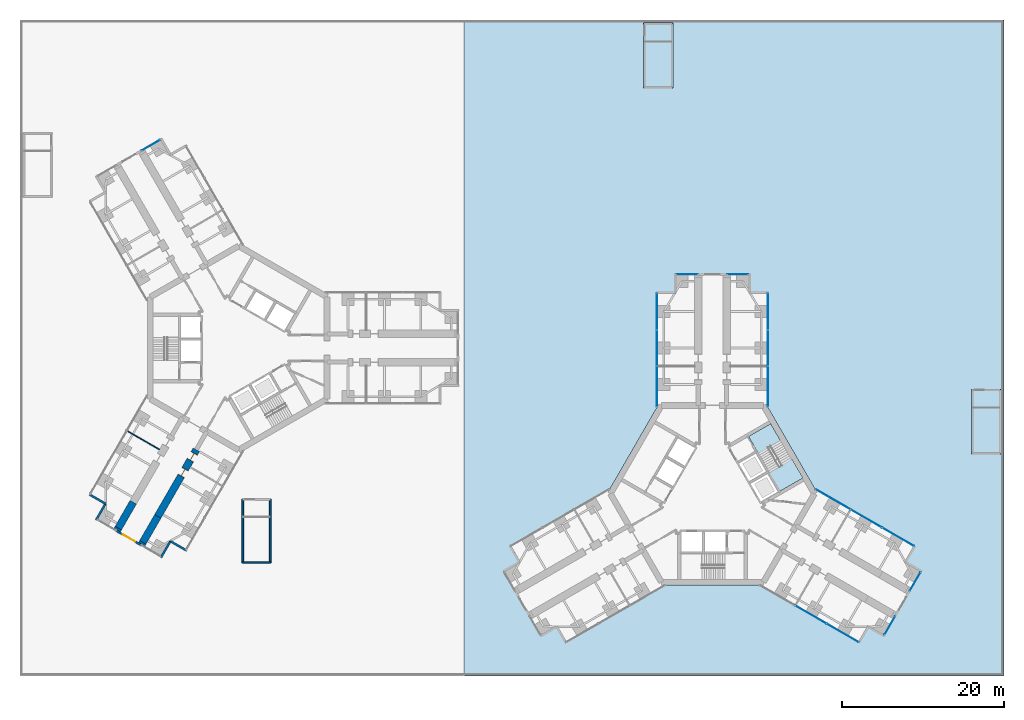
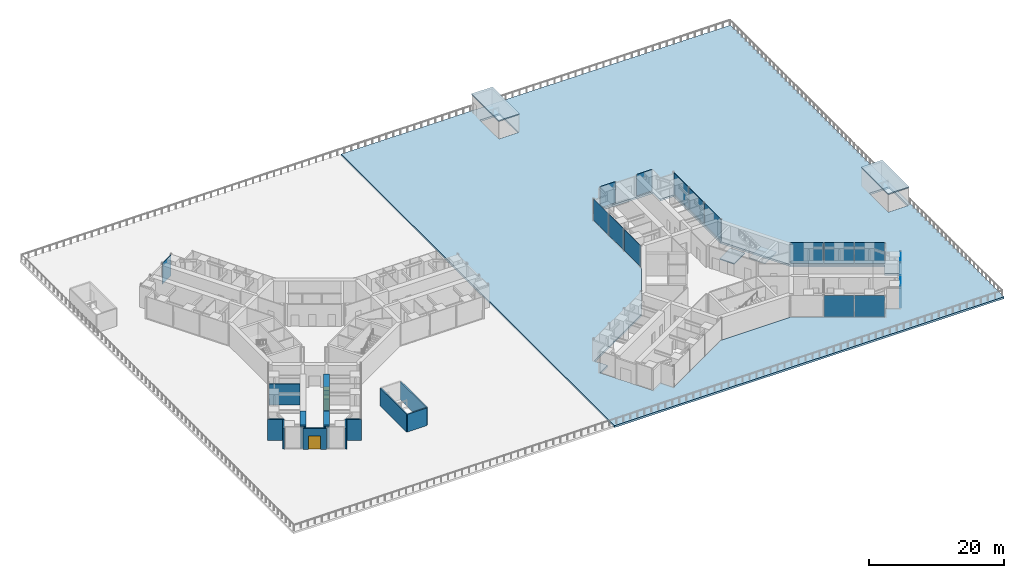
# One storey, part 12 of 23: 16 plates, 14 walls, 5 slabs, 3 doors, 3 openings, 10 elements without a shape of their own.
"""IFC4 building model written with IfcOpenShell, lengths in metres."""

import ifcopenshell
import ifcopenshell.guid

model = None  # the IFC model being written
_history = None  # IfcOwnerHistory: only IFC2X3 demands one
_inside = {}  # id of a spatial element -> (the spatial element, [elements in it])
_under = {}  # id of a project, library or spatial element -> (it, [spatial elements below it])
_declared = {}  # id of a project -> (the project, [libraries it declares])
_typed = {}  # id of a type object -> (the type object, [elements of that type])
_made_of = {}  # id of a material, layer set ... -> (it, [elements and type objects made of it])


def new_model(schema):
    """Start an empty IFC model of exactly this schema.

    Asked for "IFC4X3", IfcOpenShell would pick the latest addendum, in which some entities
    have other attributes; the version numbers below select the first issue.
    IFC2X3 requires an IfcOwnerHistory on every rooted entity: one is made here for all.
    """
    global model, _history
    if schema == "IFC4X3":
        model = ifcopenshell.file(schema_version=(4, 3, 0, 0))
    else:
        model = ifcopenshell.file(schema=schema)
    _inside.clear()
    _under.clear()
    _declared.clear()
    _typed.clear()
    _made_of.clear()
    _history = None
    if model.schema == "IFC2X3":
        org = make("IfcOrganization", Name="unknown")
        user = make(
            "IfcPersonAndOrganization",
            ThePerson=make("IfcPerson", FamilyName="unknown"),
            TheOrganization=org,
        )
        app = make(
            "IfcApplication",
            ApplicationDeveloper=org,
            Version="unknown",
            ApplicationFullName="unknown",
            ApplicationIdentifier="unknown",
        )
        _history = make(
            "IfcOwnerHistory",
            OwningUser=user,
            OwningApplication=app,
            ChangeAction="ADDED",
            CreationDate=0,
        )
    return model


def make(cls, **values):
    """One entity of the class cls with the attributes given. An attribute that is None is left unset."""
    return model.create_entity(
        cls, **{name: value for name, value in values.items() if value is not None}
    )


def rooted(cls, **values):
    """An entity with a GlobalId (a new one), such as an element, a storey or a relation."""
    return make(cls, GlobalId=ifcopenshell.guid.new(), OwnerHistory=_history, **values)


def si_unit(unit_type, name, prefix=None):
    """IfcSIUnit, for example si_unit("LENGTHUNIT", "METRE", prefix="MILLI")."""
    return make("IfcSIUnit", UnitType=unit_type, Prefix=prefix, Name=name)


def assignment(units):
    """IfcUnitAssignment: the units of a project."""
    return None if units is None else make("IfcUnitAssignment", Units=units)


def point(xyz):
    """IfcCartesianPoint."""
    return None if xyz is None else make("IfcCartesianPoint", Coordinates=xyz)


def direction(xyz):
    """IfcDirection."""
    return None if xyz is None else make("IfcDirection", DirectionRatios=xyz)


def frame(location, z_axis=None, x_axis=None):
    """IfcAxis2Placement3D, a coordinate frame: its origin and axes. An axis left out is left unset."""
    return make(
        "IfcAxis2Placement3D",
        Location=point(location),
        Axis=direction(z_axis),
        RefDirection=direction(x_axis),
    )


def frame_2d(location, x_axis=None):
    """IfcAxis2Placement2D, a coordinate frame in the plane: its origin and x axis."""
    return make(
        "IfcAxis2Placement2D", Location=point(location), RefDirection=direction(x_axis)
    )


def origin():
    """The frame at (0, 0, 0) with its axes left unset."""
    return frame((0.0, 0.0, 0.0))


def origin_2d():
    """The frame at (0, 0) in the plane with its x axis left unset."""
    return frame_2d((0.0, 0.0))


def place(relative_to, where):
    """IfcLocalPlacement: puts the frame where relative to a parent placement (None: the world)."""
    return make(
        "IfcLocalPlacement", PlacementRelTo=relative_to, RelativePlacement=where
    )


def context(
    kind, dimensions, precision=None, world=None, true_north=None, identifier=None
):
    """IfcGeometricRepresentationContext, for example the 3D "Model" context."""
    return make(
        "IfcGeometricRepresentationContext",
        ContextIdentifier=identifier,
        ContextType=kind,
        CoordinateSpaceDimension=dimensions,
        Precision=precision,
        WorldCoordinateSystem=world,
        TrueNorth=true_north,
    )


def subcontext(parent, identifier, kind, view, scale=None):
    """IfcGeometricRepresentationSubContext, for example "Body" below "Model"."""
    return make(
        "IfcGeometricRepresentationSubContext",
        ContextIdentifier=identifier,
        ContextType=kind,
        ParentContext=parent,
        TargetScale=scale,
        TargetView=view,
    )


def project(units=None, contexts=None):
    """IfcProject with its units and contexts."""
    return rooted(
        "IfcProject",
        Name="project",
        RepresentationContexts=contexts,
        UnitsInContext=assignment(units),
    )


def spatial(cls, under=None, at=None, **own):
    """A site, building, storey or space (cls), placed at a placement, below another one or the project."""
    s = rooted(cls, ObjectPlacement=at, **own)
    if under is not None:
        _under.setdefault(under.id(), (under, []))[1].append(s)
    return s


def polyline(points):
    """IfcPolyline through the points."""
    return make("IfcPolyline", Points=[point(p) for p in points])


def profile(cls, at=None, kind="AREA", **sizes):
    """A parametric profile (cls). Its sizes go by their IFC names, for example OverallWidth=200.0."""
    return make(cls, ProfileType=kind, Position=at, **sizes)


def rectangle(**sizes):
    """IfcRectangleProfileDef."""
    return profile("IfcRectangleProfileDef", **sizes)


def outline(outer, holes=None, kind="AREA"):
    """IfcArbitraryClosedProfileDef: a profile drawn as a closed curve; with holes, ...WithVoids."""
    if holes is None:
        return make("IfcArbitraryClosedProfileDef", ProfileType=kind, OuterCurve=outer)
    return make(
        "IfcArbitraryProfileDefWithVoids",
        ProfileType=kind,
        OuterCurve=outer,
        InnerCurves=holes,
    )


def extrude(swept, where, along, depth):
    """IfcExtrudedAreaSolid: the profile swept, set in the frame where, extruded along a direction by depth."""
    return make(
        "IfcExtrudedAreaSolid",
        SweptArea=swept,
        Position=where,
        ExtrudedDirection=direction(along),
        Depth=depth,
    )


def shape(context_of_items, identifier, shape_type, items):
    """IfcShapeRepresentation: the items that make up one representation, for example the "Body"."""
    return make(
        "IfcShapeRepresentation",
        ContextOfItems=context_of_items,
        RepresentationIdentifier=identifier,
        RepresentationType=shape_type,
        Items=items,
    )


def material(Name=None, Category=None):
    """IfcMaterial."""
    return make("IfcMaterial", Name=Name, Category=Category)


def layer(
    of_material, thickness, ventilated=None, Name=None, Category=None, Priority=None
):
    """IfcMaterialLayer: one layer of a wall or slab, of a material (None: an air gap)."""
    return make(
        "IfcMaterialLayer",
        Material=of_material,
        LayerThickness=thickness,
        IsVentilated=ventilated,
        Name=Name,
        Category=Category,
        Priority=Priority,
    )


def layer_set(layers, Name=None):
    """IfcMaterialLayerSet."""
    return make("IfcMaterialLayerSet", MaterialLayers=layers, LayerSetName=Name)


def made_of(thing, what):
    """Note that an element or type object is made of a material, layer set ...; save() writes the relation."""
    if what is not None:
        _made_of.setdefault(what.id(), (what, []))[1].append(thing)
    return thing


def type_object(cls, material=None, **own):
    """A type object (cls), such as IfcWallType, which elements share."""
    return made_of(rooted(cls, **own), material)


def element(
    cls,
    number,
    at=None,
    inside=None,
    cuts=None,
    type_object=None,
    material=None,
    context=None,
    identifier="Body",
    shape_type=None,
    held_by="IfcProductDefinitionShape",
    body=None,
    shapes=None,
    **own,
):
    """One element of the class cls, such as IfcWall. Its Tag is "e" and its number.

    at: its placement. inside: the storey or other place that contains it. cuts: it is an
    opening in that element (IfcRelVoidsElement). A single representation is given by context,
    identifier, shape_type and body (its items); several are given by shapes. held_by: the class
    of the entity that holds the representations. save() writes the other relations.
    """
    e = rooted(cls, Tag="e%d" % number, ObjectPlacement=at, **own)
    if body is not None:
        shapes = [shape(context, identifier, shape_type, body)]
    if shapes is not None:
        e.Representation = make(held_by, Representations=shapes)
    if inside is not None:
        _inside.setdefault(inside.id(), (inside, []))[1].append(e)
    if cuts is not None:
        rooted(
            "IfcRelVoidsElement", RelatingBuildingElement=cuts, RelatedOpeningElement=e
        )
    if type_object is not None:
        _typed.setdefault(type_object.id(), (type_object, []))[1].append(e)
    return made_of(e, material)


def fill(opening, filler):
    """IfcRelFillsElement: the door or window that sits in an opening."""
    return rooted(
        "IfcRelFillsElement",
        RelatingOpeningElement=opening,
        RelatedBuildingElement=filler,
    )


def aggregate(whole, parts):
    """IfcRelAggregates: a whole, such as a stair, and the parts it consists of."""
    return rooted("IfcRelAggregates", RelatingObject=whole, RelatedObjects=parts)


def save(model, path):
    """Write the relations noted so far, then the file.

    IfcRelAggregates (storeys below a building ...), IfcRelContainedInSpatialStructure (elements
    in a storey), IfcRelDefinesByType, IfcRelAssociatesMaterial and IfcRelDeclares: one each for
    every whole, place, type object, material and project.
    """
    for whole, parts in _under.values():
        aggregate(whole, parts)
    for where, things in _inside.values():
        rooted(
            "IfcRelContainedInSpatialStructure",
            RelatedElements=things,
            RelatingStructure=where,
        )
    for kind, things in _typed.values():
        rooted("IfcRelDefinesByType", RelatedObjects=things, RelatingType=kind)
    for what, things in _made_of.values():
        rooted("IfcRelAssociatesMaterial", RelatedObjects=things, RelatingMaterial=what)
    for by, libraries in _declared.values():
        rooted("IfcRelDeclares", RelatingContext=by, RelatedDefinitions=libraries)
    model.write(path)


model = new_model("IFC4")

# Units and contexts
model_context = context("Model", 3, precision=1e-05, world=origin(), true_north=direction((0.0, 1.0)))
body_context = subcontext(model_context, "Body", "Model", "MODEL_VIEW")
ifc_project = project(units=[si_unit("LENGTHUNIT", "METRE"), si_unit("AREAUNIT", "SQUARE_METRE"), si_unit("VOLUMEUNIT", "CUBIC_METRE"), si_unit("PLANEANGLEUNIT", "RADIAN"), si_unit("MASSUNIT", "GRAM", prefix="KILO")], contexts=[model_context])

# Site, building, storey
site_placement = place(None, origin())
site = spatial("IfcSite", under=ifc_project, at=site_placement, CompositionType="ELEMENT")
building_placement = place(site_placement, origin())
building = spatial("IfcBuilding", under=site, at=building_placement, Name="Upepo Twin Towers", CompositionType="ELEMENT")
storey_placement = place(building_placement, frame((0.0, 0.0, 20.5)))
storey = spatial("IfcBuildingStorey", under=building, at=storey_placement, Name="L04", CompositionType="ELEMENT", Elevation=20.5)

# Curtain wall, plates
ifc_material_1 = material(Name="Aluminium and fritted glass", Category="aluminium")
curtain_wall_type = type_object("IfcCurtainWallType", Name="Tower curtain wall TW1, fritted glass", PredefinedType="NOTDEFINED", material=ifc_material_1)
curtain_wall_1_placement = place(storey_placement, origin())
curtain_wall_1 = element("IfcCurtainWall", 1, at=curtain_wall_1_placement, inside=storey, type_object=curtain_wall_type, Name="T2 L04 wing A flank L curtain wall", PredefinedType="NOTDEFINED")
ifc_material_2 = material(Name="Ceramic-fritted laminated glass", Category="glass")
ifc_layer_1 = layer(ifc_material_2, 0.031982421875)
ifc_layer_set_1 = layer_set([ifc_layer_1], Name="Fritted glass panel, 20 per cent dot frit, 32 mm double glazed")
plate_type_1 = type_object("IfcPlateType", Name="Fritted glass panel, 20 per cent dot frit, 32 mm double glazed", PredefinedType="CURTAIN_PANEL", material=ifc_layer_set_1)
plate_1_placement = place(storey_placement, frame((51.64990234375, -4.76513671875, 0.14990234375), z_axis=(0.0, 0.0, 1.0), x_axis=(0.0, 1.0, 0.0)))
plate_1 = element("IfcPlate", 2, at=plate_1_placement, type_object=plate_type_1, Name="T2 L04 wing A flank L curtain wall panel 1", PredefinedType="CURTAIN_PANEL", context=body_context, shape_type="SweptSolid", body=[
    extrude(rectangle(XDim=4.96533203125, YDim=0.031982421875, at=origin_2d()), origin(), (0.0, 0.0, 1.0), 3.85009765625),
])
plate_2_placement = place(storey_placement, frame((51.64990234375, 0.0, 0.14990234375), z_axis=(0.0, 0.0, 1.0), x_axis=(0.0, 1.0, 0.0)))
plate_2 = element("IfcPlate", 3, at=plate_2_placement, type_object=plate_type_1, Name="T2 L04 wing A flank L curtain wall panel 2", PredefinedType="CURTAIN_PANEL", context=body_context, shape_type="SweptSolid", body=[
    extrude(rectangle(XDim=4.43505859375, YDim=0.031982421875, at=origin_2d()), origin(), (0.0, 0.0, 1.0), 3.85009765625),
])
plate_3_placement = place(storey_placement, frame((51.64990234375, 4.53369140625, 0.14990234375), z_axis=(0.0, 0.0, 1.0), x_axis=(0.0, 1.0, 0.0)))
plate_3 = element("IfcPlate", 4, at=plate_3_placement, type_object=plate_type_1, Name="T2 L04 wing A flank L curtain wall panel 3", PredefinedType="CURTAIN_PANEL", context=body_context, shape_type="SweptSolid", body=[
    extrude(rectangle(XDim=4.50244140625, YDim=0.031982421875, at=origin_2d()), origin(), (0.0, 0.0, 1.0), 3.85009765625),
])
aggregate(curtain_wall_1, [plate_1, plate_2, plate_3])

curtain_wall_2_placement = place(storey_placement, origin())
curtain_wall_2 = element("IfcCurtainWall", 5, at=curtain_wall_2_placement, inside=storey, type_object=curtain_wall_type, Name="T2 L04 wing A flank R curtain wall", PredefinedType="NOTDEFINED")
plate_4_placement = place(storey_placement, frame((65.35009765625, 4.53369140625, 0.14990234375), z_axis=(0.0, 0.0, 1.0), x_axis=(0.0, -1.0, 0.0)))
plate_4 = element("IfcPlate", 6, at=plate_4_placement, type_object=plate_type_1, Name="T2 L04 wing A flank R curtain wall panel 1", PredefinedType="CURTAIN_PANEL", context=body_context, shape_type="SweptSolid", body=[
    extrude(rectangle(XDim=4.50244140625, YDim=0.031982421875, at=origin_2d()), origin(), (0.0, 0.0, 1.0), 3.85009765625),
])
plate_5_placement = place(storey_placement, frame((65.35009765625, 0.0, 0.14990234375), z_axis=(0.0, 0.0, 1.0), x_axis=(0.0, -1.0, 0.0)))
plate_5 = element("IfcPlate", 7, at=plate_5_placement, type_object=plate_type_1, Name="T2 L04 wing A flank R curtain wall panel 2", PredefinedType="CURTAIN_PANEL", context=body_context, shape_type="SweptSolid", body=[
    extrude(rectangle(XDim=4.43505859375, YDim=0.031982421875, at=origin_2d()), origin(), (0.0, 0.0, 1.0), 3.85009765625),
])
plate_6_placement = place(storey_placement, frame((65.35009765625, -4.76513671875, 0.14990234375), z_axis=(0.0, 0.0, 1.0), x_axis=(0.0, -1.0, 0.0)))
plate_6 = element("IfcPlate", 8, at=plate_6_placement, type_object=plate_type_1, Name="T2 L04 wing A flank R curtain wall panel 3", PredefinedType="CURTAIN_PANEL", context=body_context, shape_type="SweptSolid", body=[
    extrude(rectangle(XDim=4.96533203125, YDim=0.031982421875, at=origin_2d()), origin(), (0.0, 0.0, 1.0), 3.85009765625),
])
aggregate(curtain_wall_2, [plate_4, plate_5, plate_6])

curtain_wall_3_placement = place(storey_placement, origin())
curtain_wall_3 = element("IfcCurtainWall", 9, at=curtain_wall_3_placement, inside=storey, type_object=curtain_wall_type, Name="T2 L04 wing C flank L curtain wall", PredefinedType="NOTDEFINED")
plate_7_placement = place(storey_placement, frame((73.38671875, -18.68505859375, 0.14990234375), z_axis=(0.0, 0.0, 1.0), x_axis=(0.866025389682, -0.500000024426, 0.0)))
plate_7 = element("IfcPlate", 10, at=plate_7_placement, type_object=plate_type_1, Name="T2 L04 wing C flank L curtain wall panel 1", PredefinedType="CURTAIN_PANEL", context=body_context, shape_type="SweptSolid", body=[
    extrude(rectangle(XDim=4.96533203125, YDim=0.031982421875, at=origin_2d()), origin(), (0.0, 0.0, 1.0), 3.85009765625),
])
plate_8_placement = place(storey_placement, frame((77.513427734375, -21.067626953125, 0.14990234375), z_axis=(0.0, 0.0, 1.0), x_axis=(0.866025389682, -0.500000024426, 0.0)))
plate_8 = element("IfcPlate", 11, at=plate_8_placement, type_object=plate_type_1, Name="T2 L04 wing C flank L curtain wall panel 2", PredefinedType="CURTAIN_PANEL", context=body_context, shape_type="SweptSolid", body=[
    extrude(rectangle(XDim=4.43505859375, YDim=0.031982421875, at=origin_2d()), origin(), (0.0, 0.0, 1.0), 3.85009765625),
])
plate_9_placement = place(storey_placement, frame((81.439697265625, -23.334716796875, 0.14990234375), z_axis=(0.0, 0.0, 1.0), x_axis=(0.866025389682, -0.500000024426, 0.0)))
plate_9 = element("IfcPlate", 12, at=plate_9_placement, type_object=plate_type_1, Name="T2 L04 wing C flank L curtain wall panel 3", PredefinedType="CURTAIN_PANEL", context=body_context, shape_type="SweptSolid", body=[
    extrude(rectangle(XDim=4.50244140625, YDim=0.031982421875, at=origin_2d()), origin(), (0.0, 0.0, 1.0), 3.85009765625),
])
aggregate(curtain_wall_3, [plate_7, plate_8, plate_9])

curtain_wall_4_placement = place(storey_placement, origin())
curtain_wall_4 = element("IfcCurtainWall", 13, at=curtain_wall_4_placement, inside=storey, type_object=curtain_wall_type, Name="T2 L04 wing C flank R curtain wall", PredefinedType="NOTDEFINED")
plate_10_placement = place(storey_placement, frame((74.58984375, -35.19921875, 0.14990234375), z_axis=(0.0, 0.0, 1.0), x_axis=(-0.866025389682, 0.500000024426, 0.0)))
plate_10 = element("IfcPlate", 14, at=plate_10_placement, type_object=plate_type_1, Name="T2 L04 wing C flank R curtain wall panel 1", PredefinedType="CURTAIN_PANEL", context=body_context, shape_type="SweptSolid", body=[
    extrude(rectangle(XDim=4.50244140625, YDim=0.031982421875, at=origin_2d()), origin(), (0.0, 0.0, 1.0), 3.85009765625),
])
plate_11_placement = place(storey_placement, frame((70.66357421875, -32.932373046875, 0.14990234375), z_axis=(0.0, 0.0, 1.0), x_axis=(-0.866025389682, 0.500000024426, 0.0)))
plate_11 = element("IfcPlate", 15, at=plate_11_placement, type_object=plate_type_1, Name="T2 L04 wing C flank R curtain wall panel 2", PredefinedType="CURTAIN_PANEL", context=body_context, shape_type="SweptSolid", body=[
    extrude(rectangle(XDim=4.43505859375, YDim=0.031982421875, at=origin_2d()), origin(), (0.0, 0.0, 1.0), 3.85009765625),
])
aggregate(curtain_wall_4, [plate_10, plate_11])

# Slabs
ifc_material_3 = material(Name="Concrete C40/50", Category="concrete")
ifc_layer_2 = layer(ifc_material_3, 0.199951171875)
ifc_layer_set_2 = layer_set([ifc_layer_2], Name="Concrete C40/50")
slab_type_1 = type_object("IfcSlabType", Name="Head-house roof 200 RC", PredefinedType="ROOF", material=ifc_layer_set_2)
slab_1_placement = place(storey_placement, frame((0.0, 0.0, 3.199951171875)))
element("IfcSlab", 16, at=slab_1_placement, inside=storey, type_object=slab_type_1, Name="PS2 head-house roof", PredefinedType="ROOF", context=body_context, shape_type="SweptSolid", body=[
    extrude(outline(polyline([(90.5, -13.10009765625), (94.10009765625, -13.10009765625), (94.10009765625, -5.10009765625), (90.5, -5.10009765625), (90.5, -13.10009765625)])), origin(), (0.0, 0.0, 1.0), 0.199951171875),
])
slab_2_placement = place(storey_placement, frame((0.0, 0.0, 3.199951171875)))
element("IfcSlab", 17, at=slab_2_placement, inside=storey, type_object=slab_type_1, Name="PS4 head-house roof", PredefinedType="ROOF", context=body_context, shape_type="SweptSolid", body=[
    extrude(outline(polyline([(50.0, 32.10009765625), (53.60009765625, 32.10009765625), (53.60009765625, 40.10009765625), (50.0, 40.10009765625), (50.0, 32.10009765625)])), origin(), (0.0, 0.0, 1.0), 0.199951171875),
])

# Curtain wall, plate
curtain_wall_5_placement = place(storey_placement, origin())
curtain_wall_5 = element("IfcCurtainWall", 18, at=curtain_wall_5_placement, inside=storey, type_object=curtain_wall_type, Name="T1 L04 wing B nose curtain wall 0", PredefinedType="NOTDEFINED")
ifc_material_4 = material(Name="Clear laminated glass in opening sash", Category="glass")
ifc_layer_3 = layer(ifc_material_4, 0.031982421875)
ifc_layer_set_3 = layer_set([ifc_layer_3], Name="Operable glass panel, 32 mm double glazed")
plate_type_2 = type_object("IfcPlateType", Name="Operable glass panel, 32 mm double glazed", PredefinedType="CURTAIN_PANEL", material=ifc_layer_set_3)
plate_12_placement = place(storey_placement, frame((-10.84375, 25.03173828125, 0.14990234375), z_axis=(0.0, 0.0, 1.0), x_axis=(-0.866025416473, -0.499999978023, 0.0)))
plate_12 = element("IfcPlate", 19, at=plate_12_placement, type_object=plate_type_2, Name="T1 L04 wing B nose curtain wall 0 panel 1", PredefinedType="CURTAIN_PANEL", context=body_context, shape_type="SweptSolid", body=[
    extrude(rectangle(XDim=2.6201171875, YDim=0.031982421875, at=origin_2d()), origin(), (0.0, 0.0, 1.0), 3.85009765625),
])
aggregate(curtain_wall_5, [plate_12])

curtain_wall_6_placement = place(storey_placement, origin())
curtain_wall_6 = element("IfcCurtainWall", 20, at=curtain_wall_6_placement, inside=storey, type_object=curtain_wall_type, Name="T2 L04 wing A nose curtain wall 0", PredefinedType="NOTDEFINED")
plate_13_placement = place(storey_placement, frame((61.625, 9.10009765625, 0.14990234375), z_axis=(0.0, 0.0, 1.0), x_axis=(-1.0, 0.0, 0.0)))
plate_13 = element("IfcPlate", 21, at=plate_13_placement, type_object=plate_type_2, Name="T2 L04 wing A nose curtain wall 0 panel 1", PredefinedType="CURTAIN_PANEL", context=body_context, shape_type="SweptSolid", body=[
    extrude(rectangle(XDim=2.6201171875, YDim=0.031982421875, at=origin_2d()), origin(), (0.0, 0.0, 1.0), 3.85009765625),
])
aggregate(curtain_wall_6, [plate_13])

curtain_wall_7_placement = place(storey_placement, origin())
curtain_wall_7 = element("IfcCurtainWall", 22, at=curtain_wall_7_placement, inside=storey, type_object=curtain_wall_type, Name="T2 L04 wing A nose curtain wall 2", PredefinedType="NOTDEFINED")
plate_14_placement = place(storey_placement, frame((55.375, 9.10009765625, 0.14990234375), z_axis=(0.0, 0.0, 1.0), x_axis=(-1.0, 0.0, 0.0)))
plate_14 = element("IfcPlate", 23, at=plate_14_placement, type_object=plate_type_2, Name="T2 L04 wing A nose curtain wall 2 panel 1", PredefinedType="CURTAIN_PANEL", context=body_context, shape_type="SweptSolid", body=[
    extrude(rectangle(XDim=2.6201171875, YDim=0.031982421875, at=origin_2d()), origin(), (0.0, 0.0, 1.0), 3.85009765625),
])
aggregate(curtain_wall_7, [plate_14])

curtain_wall_8_placement = place(storey_placement, origin())
curtain_wall_8 = element("IfcCurtainWall", 24, at=curtain_wall_8_placement, inside=storey, type_object=curtain_wall_type, Name="T2 L04 wing C nose curtain wall 0", PredefinedType="NOTDEFINED")
plate_15_placement = place(storey_placement, frame((80.40673828125, -34.25634765625, 0.14990234375), z_axis=(0.0, 0.0, 1.0), x_axis=(0.499999978023, 0.866025416473, 0.0)))
plate_15 = element("IfcPlate", 25, at=plate_15_placement, type_object=plate_type_2, Name="T2 L04 wing C nose curtain wall 0 panel 1", PredefinedType="CURTAIN_PANEL", context=body_context, shape_type="SweptSolid", body=[
    extrude(rectangle(XDim=2.6201171875, YDim=0.031982421875, at=origin_2d()), origin(), (0.0, 0.0, 1.0), 3.85009765625),
])
aggregate(curtain_wall_8, [plate_15])

curtain_wall_9_placement = place(storey_placement, origin())
curtain_wall_9 = element("IfcCurtainWall", 26, at=curtain_wall_9_placement, inside=storey, type_object=curtain_wall_type, Name="T2 L04 wing C nose curtain wall 2", PredefinedType="NOTDEFINED")
plate_16_placement = place(storey_placement, frame((83.53173828125, -28.84375, 0.14990234375), z_axis=(0.0, 0.0, 1.0), x_axis=(0.499999978023, 0.866025416473, 0.0)))
plate_16 = element("IfcPlate", 27, at=plate_16_placement, type_object=plate_type_2, Name="T2 L04 wing C nose curtain wall 2 panel 1", PredefinedType="CURTAIN_PANEL", context=body_context, shape_type="SweptSolid", body=[
    extrude(rectangle(XDim=2.6201171875, YDim=0.031982421875, at=origin_2d()), origin(), (0.0, 0.0, 1.0), 3.85009765625),
])
aggregate(curtain_wall_9, [plate_16])

# Stair, slabs
ifc_material_5 = material(Name="Concrete C40/50", Category="concrete")
stair_type = type_object("IfcStairType", Name="Core stair, two flights", PredefinedType="HALF_TURN_STAIR", material=ifc_material_5)
stair_placement = place(storey_placement, origin())
stair = element("IfcStair", 28, at=stair_placement, inside=storey, type_object=stair_type, Name="T2 stair S2 L04", PredefinedType="HALF_TURN_STAIR")
ifc_material_6 = material(Name="Concrete C40/50", Category="concrete")
ifc_layer_4 = layer(ifc_material_6, 0.199951171875)
ifc_layer_set_4 = layer_set([ifc_layer_4], Name="Concrete C40/50")
slab_type_2 = type_object("IfcSlabType", Name="Stair landing 200 RC", PredefinedType="LANDING", material=ifc_layer_set_4)
slab_3_placement = place(storey_placement, frame((0.0, 0.0, -0.199951171875)))
slab_3 = element("IfcSlab", 29, at=slab_3_placement, type_object=slab_type_2, Name="Stair S2 landing 1", PredefinedType="LANDING", context=body_context, shape_type="SweptSolid", body=[
    extrude(outline(polyline([(64.198486328125, -13.0703125), (66.933837890625, -11.490966796875), (65.69384765625, -9.34326171875), (62.95849609375, -10.922607421875), (64.198486328125, -13.0703125)])), origin(), (0.0, 0.0, 1.0), 0.199951171875),
])
slab_4_placement = place(storey_placement, frame((0.0, 0.0, 1.800048828125)))
slab_4 = element("IfcSlab", 30, at=slab_4_placement, type_object=slab_type_2, Name="Stair S2 landing 2", PredefinedType="LANDING", context=body_context, shape_type="SweptSolid", body=[
    extrude(outline(polyline([(66.77197265625, -17.7275390625), (69.680419921875, -16.04833984375), (68.3203125, -13.692626953125), (65.411865234375, -15.371826171875), (66.77197265625, -17.7275390625)])), origin(), (0.0, 0.0, 1.0), 0.199951171875),
])
aggregate(stair, [slab_3, slab_4])

# Slab
ifc_material_7 = material(Name="Concrete C40/50", Category="concrete")
ifc_layer_5 = layer(ifc_material_7, 0.35009765625)
ifc_layer_set_5 = layer_set([ifc_layer_5], Name="Concrete C40/50")
slab_type_3 = type_object("IfcSlabType", Name="Terrace slab 350 RC", PredefinedType="ROOF", material=ifc_layer_set_5)
slab_5_placement = place(storey_placement, frame((0.0, 0.0, -0.35009765625)))
element("IfcSlab", 31, at=slab_5_placement, inside=storey, type_object=slab_type_3, Name="Podium roof slab, planting beds and terraces east", PredefinedType="ROOF", context=body_context, shape_type="SweptSolid", body=[
    extrude(outline(polyline([(94.5, -40.5), (27.89990234375, -40.5), (27.89990234375, 40.5), (94.5, 40.5), (94.5, -40.5)]), holes=[polyline([(82.18408203125, -26.477783203125), (84.132568359375, -27.602783203125), (79.632568359375, -35.397216796875), (77.68408203125, -34.272216796875), (76.55908203125, -36.220703125), (64.5, -29.25830078125), (52.5, -29.25830078125), (40.44091796875, -36.220703125), (39.31591796875, -34.272216796875), (37.367431640625, -35.397216796875), (32.867431640625, -27.602783203125), (34.81591796875, -26.477783203125), (33.69091796875, -24.529296875), (45.75, -17.56689453125), (51.75, -7.174560546875), (51.75, 6.75), (54.0, 6.75), (54.0, 9.0), (63.0, 9.0), (63.0, 6.75), (65.25, 6.75), (65.25, -7.174560546875), (71.25, -17.56689453125), (83.30908203125, -24.529296875), (82.18408203125, -26.477783203125)]), polyline([(94.0, -13.0), (94.0, -7.3798828125), (90.60009765625, -7.3798828125), (90.60009765625, -13.0), (94.0, -13.0)]), polyline([(53.5, 32.199951171875), (53.5, 37.820068359375), (50.10009765625, 37.820068359375), (50.10009765625, 32.199951171875), (53.5, 32.199951171875)])]), origin(), (0.0, 0.0, 1.0), 0.35009765625),
])

# Walls
ifc_material_8 = material(Name="Dense concrete blockwork", Category="masonry")
ifc_layer_6 = layer(ifc_material_8, 0.89990234375)
ifc_layer_set_6 = layer_set([ifc_layer_6], Name="Buttress closer 900, blockwork with fire-stopping to the curtain wall")
wall_type_1 = type_object("IfcWallType", Name="Buttress closer 900, blockwork with fire-stopping to the curtain wall", PredefinedType="PARTITIONING", material=ifc_layer_set_6)
for number, where, z_axis, x_axis, name in (
    (32, (-11.83447265625, -23.997802734375, 0.0), (0.0, 0.0, 1.0), (-0.499671230855, -0.86621513555, 0.0), "T1 L04 wing C buttress closer L"),
    (33, (-14.865478515625, -22.247802734375, 0.0), (0.0, 0.0, 1.0), (-0.499671230855, -0.86621513555, 0.0), "T1 L04 wing C buttress closer R"),
):
    element("IfcWall", number, at=place(storey_placement, frame(where, z_axis=z_axis, x_axis=x_axis)), inside=storey, type_object=wall_type_1, Name=name, PredefinedType="PARTITIONING", context=body_context, shape_type="SweptSolid", body=[
        extrude(rectangle(XDim=0.275146484375, YDim=0.89990234375, at=frame_2d((0.1376953125, 0.0))), origin(), (0.0, 0.0, 1.0), 3.800048828125),
    ])

# Wall, openings, doors
ifc_material_9 = material(Name="Concrete C60/75", Category="concrete")
ifc_layer_7 = layer(ifc_material_9, 0.89990234375)
ifc_layer_set_7 = layer_set([ifc_layer_7], Name="Concrete C60/75")
wall_type_2 = type_object("IfcWallType", Name="Buttress wall 900 RC", PredefinedType="SHEAR", material=ifc_layer_set_7)
wall_1_placement = place(storey_placement, frame((-5.234375, -12.56640625, 0.0), z_axis=(0.0, 0.0, 1.0), x_axis=(-0.499997557548, -0.86602681393, 0.0)))
wall_1 = element("IfcWall", 34, at=wall_1_placement, inside=storey, type_object=wall_type_2, Name="T1 wing C buttress wall L part 2", PredefinedType="SHEAR", context=body_context, shape_type="SweptSolid", body=[
    extrude(rectangle(XDim=9.5, YDim=0.89990234375, at=frame_2d((4.75, 0.0))), origin(), (0.0, 0.0, 1.0), 4.0),
])
opening_1_placement = place(wall_1_placement, frame((0.5, 0.0, 0.0)))
opening_1 = element("IfcOpeningElement", 35, at=opening_1_placement, cuts=wall_1, Name="Opening D15", PredefinedType="OPENING", context=body_context, shape_type="SweptSolid", body=[
    extrude(rectangle(XDim=1.0, YDim=2.10009765625, at=frame_2d((0.5, 1.050048828125))), frame((0.0, 0.4599609375, 0.0), z_axis=(0.0, -1.0, 0.0), x_axis=(1.0, 0.0, 0.0)), (0.0, 0.0, 1.0), 0.919921875),
])
opening_2_placement = place(wall_1_placement, frame((2.75, 0.0, 0.0)))
opening_2 = element("IfcOpeningElement", 36, at=opening_2_placement, cuts=wall_1, Name="Opening D15", PredefinedType="OPENING", context=body_context, shape_type="SweptSolid", body=[
    extrude(rectangle(XDim=1.0, YDim=2.10009765625, at=frame_2d((0.5, 1.050048828125))), frame((0.0, 0.4599609375, 0.0), z_axis=(0.0, -1.0, 0.0), x_axis=(1.0, 0.0, 0.0)), (0.0, 0.0, 1.0), 0.919921875),
])
ifc_material_10 = material(Name="Timber doorset", Category="wood")
door_type_1 = type_object("IfcDoorType", Name="Glazed door 1000 FD30", OperationType="SINGLE_SWING_LEFT", PredefinedType="DOOR", material=ifc_material_10)
door_1_placement = place(opening_1_placement, origin())
door_1 = element("IfcDoor", 37, at=door_1_placement, inside=storey, type_object=door_type_1, Name="T1 L04 seminar room door", OperationType="SINGLE_SWING_LEFT", OverallHeight=2.10009765625, OverallWidth=1.0, PredefinedType="DOOR", context=body_context, shape_type="SweptSolid", body=[
    extrude(rectangle(XDim=0.92, YDim=2.06009765625, at=frame_2d((0.5, 1.030029296875))), frame((0.0, 0.02490234375, 0.0), z_axis=(0.0, -1.0, 0.0), x_axis=(1.0, 0.0, 0.0)), (0.0, 0.0, 1.0), 0.050048828125),
    extrude(rectangle(XDim=0.04, YDim=2.10009765625, at=frame_2d((0.02001953125, 1.050048828125))), frame((0.0, 0.44970703125, 0.0), z_axis=(0.0, -1.0, 0.0), x_axis=(1.0, 0.0, 0.0)), (0.0, 0.0, 1.0), 0.8994140625),
    extrude(rectangle(XDim=0.04, YDim=2.10009765625, at=frame_2d((0.97998046875, 1.050048828125))), frame((0.0, 0.44970703125, 0.0), z_axis=(0.0, -1.0, 0.0), x_axis=(1.0, 0.0, 0.0)), (0.0, 0.0, 1.0), 0.8994140625),
    extrude(rectangle(XDim=0.92, YDim=0.04, at=frame_2d((0.5, 2.080078125))), frame((0.0, 0.44970703125, 0.0), z_axis=(0.0, -1.0, 0.0), x_axis=(1.0, 0.0, 0.0)), (0.0, 0.0, 1.0), 0.8994140625),
])
fill(opening_1, door_1)
door_2_placement = place(opening_2_placement, origin())
door_2 = element("IfcDoor", 38, at=door_2_placement, inside=storey, type_object=door_type_1, Name="T1 L04 student sky lounge door", OperationType="SINGLE_SWING_LEFT", OverallHeight=2.10009765625, OverallWidth=1.0, PredefinedType="DOOR", context=body_context, shape_type="SweptSolid", body=[
    extrude(rectangle(XDim=0.92, YDim=2.06009765625, at=frame_2d((0.5, 1.030029296875))), frame((0.0, 0.02490234375, 0.0), z_axis=(0.0, -1.0, 0.0), x_axis=(1.0, 0.0, 0.0)), (0.0, 0.0, 1.0), 0.050048828125),
    extrude(rectangle(XDim=0.04, YDim=2.10009765625, at=frame_2d((0.02001953125, 1.050048828125))), frame((0.0, 0.44970703125, 0.0), z_axis=(0.0, -1.0, 0.0), x_axis=(1.0, 0.0, 0.0)), (0.0, 0.0, 1.0), 0.8994140625),
    extrude(rectangle(XDim=0.04, YDim=2.10009765625, at=frame_2d((0.97998046875, 1.050048828125))), frame((0.0, 0.44970703125, 0.0), z_axis=(0.0, -1.0, 0.0), x_axis=(1.0, 0.0, 0.0)), (0.0, 0.0, 1.0), 0.8994140625),
    extrude(rectangle(XDim=0.92, YDim=0.04, at=frame_2d((0.5, 2.080078125))), frame((0.0, 0.44970703125, 0.0), z_axis=(0.0, -1.0, 0.0), x_axis=(1.0, 0.0, 0.0)), (0.0, 0.0, 1.0), 0.8994140625),
])
fill(opening_2, door_2)

# Walls
wall_2_placement = place(storey_placement, frame((-9.984375, -20.793701171875, 0.0), z_axis=(0.0, 0.0, 1.0), x_axis=(-0.500042316284, -0.866000971088, 0.0)))
element("IfcWall", 39, at=wall_2_placement, inside=storey, type_object=wall_type_2, Name="T1 wing C buttress wall L part 3", PredefinedType="SHEAR", context=body_context, shape_type="SweptSolid", body=[
    extrude(rectangle(XDim=3.699951171875, YDim=0.89990234375, at=frame_2d((1.85009765625, 0.0))), origin(), (0.0, 0.0, 1.0), 4.0),
])
wall_3_placement = place(storey_placement, frame((-13.015625, -19.043701171875, 0.0), z_axis=(0.0, 0.0, 1.0), x_axis=(-0.499992827086, -0.866029545028, 0.0)))
element("IfcWall", 40, at=wall_3_placement, inside=storey, type_object=wall_type_2, Name="T1 wing C buttress wall R part 3", PredefinedType="SHEAR", context=body_context, shape_type="SweptSolid", body=[
    extrude(rectangle(XDim=3.69970703125, YDim=0.89990234375, at=frame_2d((1.849853515625, 0.0))), origin(), (0.0, 0.0, 1.0), 4.0),
])
ifc_material_11 = material(Name="Laminated glass in an aluminium frame", Category="aluminium")
ifc_layer_8 = layer(ifc_material_11, 0.1201171875)
ifc_layer_set_8 = layer_set([ifc_layer_8], Name="Glazed partition 120, aluminium framed")
wall_type_3 = type_object("IfcWallType", Name="Glazed partition 120, aluminium framed", PredefinedType="PARTITIONING", material=ifc_layer_set_8)
wall_4_placement = place(storey_placement, frame((-9.7802734375, -12.539794921875, 0.0), z_axis=(0.0, 0.0, 1.0), x_axis=(-0.866035472144, 0.499982560684, 0.0)))
element("IfcWall", 41, at=wall_4_placement, inside=storey, type_object=wall_type_3, Name="T1 partition CR at 15.75", PredefinedType="PARTITIONING", context=body_context, shape_type="SweptSolid", body=[
    extrude(rectangle(XDim=4.550048828125, YDim=0.1201171875, at=frame_2d((2.27490234375, 0.0))), origin(), (0.0, 0.0, 1.0), 3.800048828125),
])
ifc_material_12 = material(Name="Blockwork with anodised aluminium cladding", Category="masonry")
ifc_layer_9 = layer(ifc_material_12, 0.25)
ifc_layer_set_9 = layer_set([ifc_layer_9], Name="Notch cladding wall 250, pale metal")
wall_type_4 = type_object("IfcWallType", Name="Notch cladding wall 250, pale metal", PredefinedType="STANDARD", material=ifc_layer_set_9)
for number, where, z_axis, x_axis, name in (
    (42, (-6.418701171875, -25.017333984375, 0.0), (0.0, 0.0, 1.0), (-0.866043940782, 0.499967891604, 0.0), "T1 L04 wing C notch wall L1"),
    (43, (-8.43212890625, -23.85498046875, 0.0), (0.0, 0.0, 1.0), (-0.500046648681, -0.865998469481, 0.0), "T1 L04 wing C notch wall L2"),
    (44, (-18.456298828125, -18.0673828125, 0.0), (0.0, 0.0, 1.0), (0.865998469481, -0.500046648681, 0.0), "T1 L04 wing C notch wall R1"),
    (45, (-16.44287109375, -19.22998046875, 0.0), (0.0, 0.0, 1.0), (-0.500046648681, -0.865998469481, 0.0), "T1 L04 wing C notch wall R2"),
):
    element("IfcWall", number, at=place(storey_placement, frame(where, z_axis=z_axis, x_axis=x_axis)), inside=storey, type_object=wall_type_4, Name=name, PredefinedType="STANDARD", context=body_context, shape_type="SweptSolid", body=[
        extrude(rectangle(XDim=2.324951171875, YDim=0.25, at=frame_2d((1.16259765625, 0.0))), origin(), (0.0, 0.0, 1.0), 3.800048828125),
    ])

# Wall, opening, door
wall_5_placement = place(storey_placement, frame((-15.0654296875, -22.59423828125, 0.0), z_axis=(0.0, 0.0, 1.0), x_axis=(0.866019471182, -0.500010275428, 0.0)))
wall_5 = element("IfcWall", 46, at=wall_5_placement, inside=storey, type_object=wall_type_4, Name="T1 L04 wing C nose wall", PredefinedType="STANDARD", context=body_context, shape_type="SweptSolid", body=[
    extrude(rectangle(XDim=3.5, YDim=0.25, at=frame_2d((1.75, 0.0))), origin(), (0.0, 0.0, 1.0), 3.800048828125),
])
opening_3_placement = place(wall_5_placement, frame((0.85009765625, 0.0, 0.0)))
opening_3 = element("IfcOpeningElement", 47, at=opening_3_placement, cuts=wall_5, Name="Opening D5", PredefinedType="OPENING", context=body_context, shape_type="SweptSolid", body=[
    extrude(rectangle(XDim=1.800048828125, YDim=2.39990234375, at=frame_2d((0.89990234375, 1.199951171875))), frame((0.0, 0.135009765625, 0.0), z_axis=(0.0, -1.0, 0.0), x_axis=(1.0, 0.0, 0.0)), (0.0, 0.0, 1.0), 0.27001953125),
])
ifc_material_13 = material(Name="Aluminium glazed doorset", Category="aluminium")
door_type_2 = type_object("IfcDoorType", Name="Terrace door 1800 glazed", OperationType="DOUBLE_DOOR_DOUBLE_SWING", PredefinedType="DOOR", material=ifc_material_13)
door_3_placement = place(opening_3_placement, origin())
door_3 = element("IfcDoor", 48, at=door_3_placement, inside=storey, type_object=door_type_2, Name="T1 L04 wing C terrace door", OperationType="DOUBLE_DOOR_DOUBLE_SWING", OverallHeight=2.39990234375, OverallWidth=1.800048828125, PredefinedType="DOOR", context=body_context, shape_type="SweptSolid", body=[
    extrude(rectangle(XDim=1.800048828125, YDim=2.39990234375, at=frame_2d((0.89990234375, 1.199951171875))), frame((0.0, 0.02490234375, 0.0), z_axis=(0.0, -1.0, 0.0), x_axis=(1.0, 0.0, 0.0)), (0.0, 0.0, 1.0), 0.050048828125),
])
fill(opening_3, door_3)

# Walls
ifc_material_14 = material(Name="Concrete C40/50", Category="concrete")
ifc_layer_10 = layer(ifc_material_14, 0.199951171875)
ifc_layer_set_10 = layer_set([ifc_layer_10], Name="Concrete C40/50")
wall_type_5 = type_object("IfcWallType", Name="Podium stair enclosure 200 RC", PredefinedType="SHEAR", material=ifc_layer_set_10)
wall_6_placement = place(storey_placement, frame((0.5, -26.5, 0.0), z_axis=(0.0, 0.0, 1.0), x_axis=(1.0, 0.0, 0.0)))
element("IfcWall", 49, at=wall_6_placement, inside=storey, type_object=wall_type_5, Name="PS3 head-house wall 1", PredefinedType="SHEAR", context=body_context, shape_type="SweptSolid", body=[
    extrude(rectangle(XDim=3.39990234375, YDim=0.199951171875, at=frame_2d((1.699951171875, 0.0))), origin(), (0.0, 0.0, 1.0), 3.199951171875),
])
for number, where, z_axis, x_axis, name in (
    (50, (3.89990234375, -26.5, 0.0), (0.0, 0.0, 1.0), (0.0, 1.0, 0.0), "PS3 head-house wall 2"),
    (51, (0.5, -18.699951171875, 0.0), (0.0, 0.0, 1.0), (0.0, -1.0, 0.0), "PS3 head-house wall 4"),
):
    element("IfcWall", number, at=place(storey_placement, frame(where, z_axis=z_axis, x_axis=x_axis)), inside=storey, type_object=wall_type_5, Name=name, PredefinedType="SHEAR", context=body_context, shape_type="SweptSolid", body=[
        extrude(rectangle(XDim=7.800048828125, YDim=0.199951171875, at=frame_2d((3.89990234375, 0.0))), origin(), (0.0, 0.0, 1.0), 3.199951171875),
    ])

save(model, "model.ifc")
